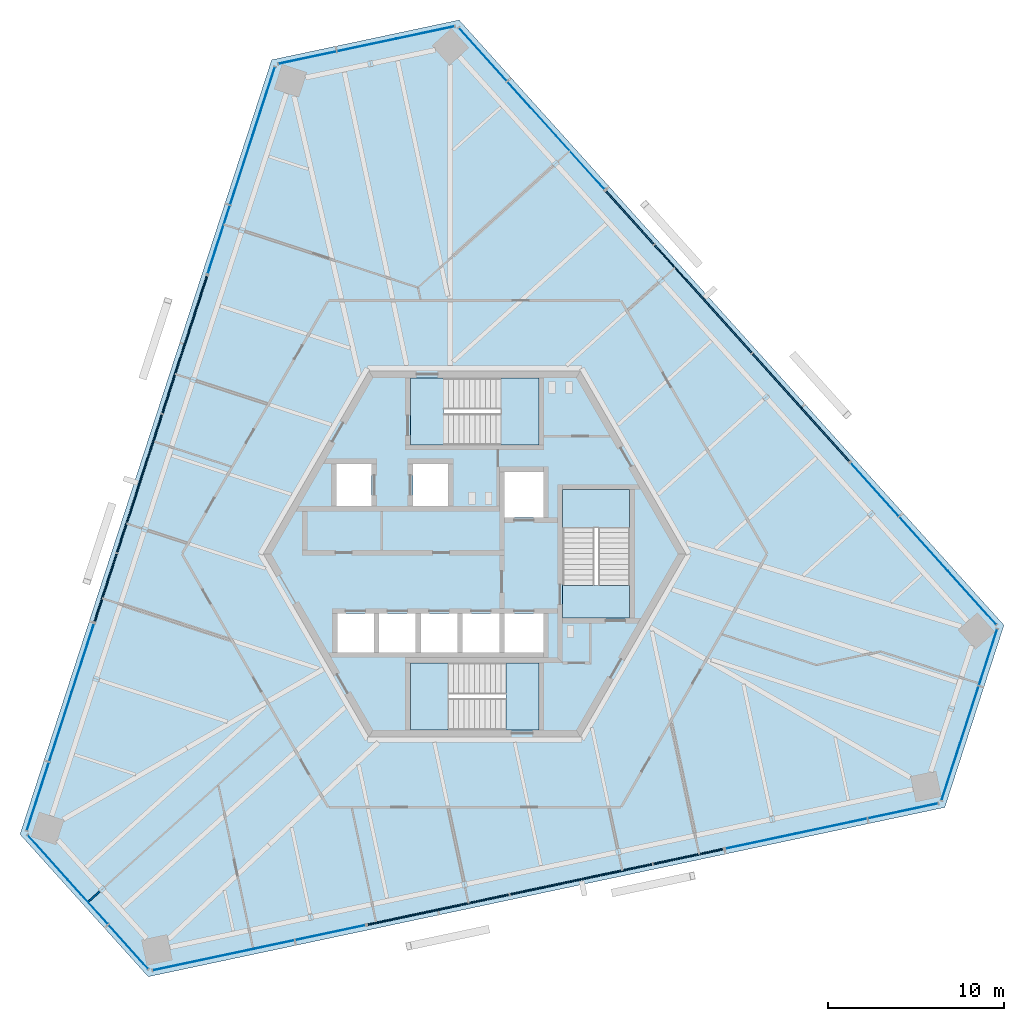
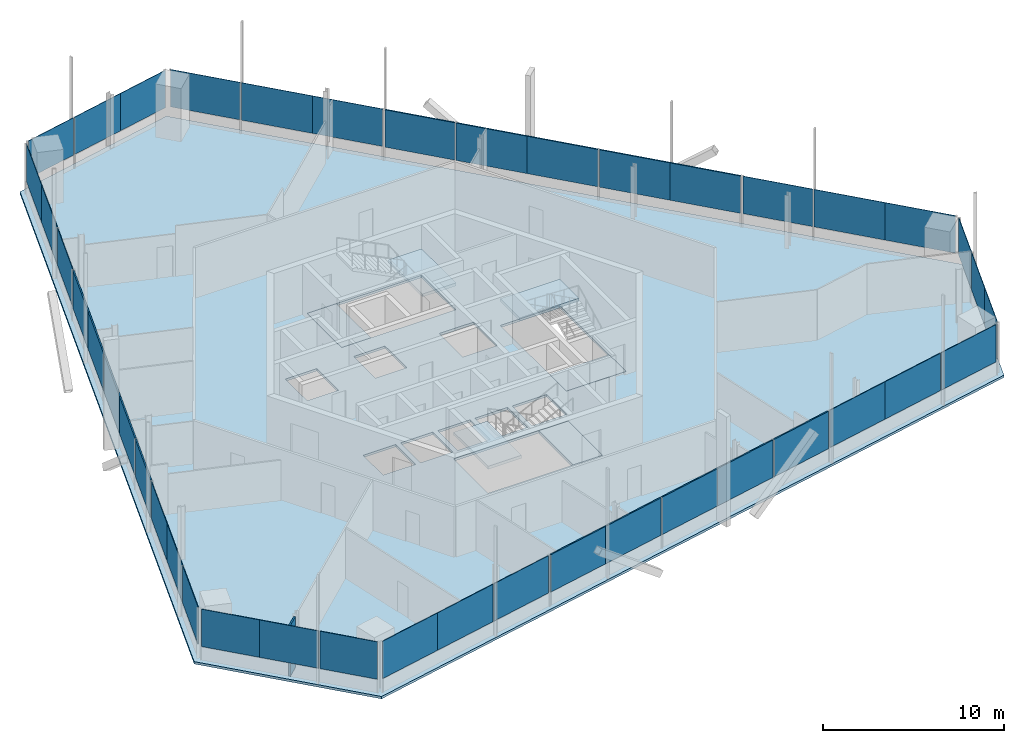
# One storey, part 9 of 17: 42 plates, 7 slabs, 1 wall, 15 elements without a shape of their own.
"""IFC4 building model written with IfcOpenShell, lengths in metres."""

from ifc_helpers import new_model, si_unit, direction, frame, frame_2d, origin, origin_2d, place, context, subcontext, project, spatial, polyline, rectangle, outline, extrude, source, transform, mapped, material, layer, layer_set, type_object, element, aggregate, save


model = new_model("IFC4")

# Units and contexts
model_context = context("Model", 3, precision=1e-05, world=origin(), true_north=direction((0.0, 1.0)))
body_context = subcontext(model_context, "Body", "Model", "MODEL_VIEW")
ifc_project = project(units=[si_unit("LENGTHUNIT", "METRE"), si_unit("AREAUNIT", "SQUARE_METRE"), si_unit("VOLUMEUNIT", "CUBIC_METRE"), si_unit("PLANEANGLEUNIT", "RADIAN"), si_unit("MASSUNIT", "GRAM", prefix="KILO")], contexts=[model_context])

# Site, building, storey
site_placement = place(None, origin())
site = spatial("IfcSite", under=ifc_project, at=site_placement, CompositionType="ELEMENT")
building_placement = place(site_placement, origin())
building = spatial("IfcBuilding", under=site, at=building_placement, Name="Triune Harvest Tower", CompositionType="ELEMENT")
storey_placement = place(building_placement, frame((0.0, 0.0, 281.10009765625)))
storey = spatial("IfcBuildingStorey", under=building, at=storey_placement, Name="L74", CompositionType="ELEMENT", Elevation=281.10009765625)

# Curtain wall, plate
ifc_material_1 = material(Name="Aluminium bronze anodised", Category="aluminium")
curtain_wall_type_1 = type_object("IfcCurtainWallType", Name="CW-1 Tower stick curtain wall", PredefinedType="NOTDEFINED", material=ifc_material_1)
curtain_wall_1_placement = place(storey_placement, origin())
curtain_wall_1 = element("IfcCurtainWall", 1, at=curtain_wall_1_placement, inside=storey, type_object=curtain_wall_type_1, Name="CW-1 B7-F4 L74 run 1")
ifc_material_2 = material(Name="Glass", Category="glass")
ifc_layer_1 = layer(ifc_material_2, 0.031982421875)
ifc_layer_set_1 = layer_set([ifc_layer_1], Name="Glass")
plate_type_1 = type_object("IfcPlateType", Name="GL-1 panel 32", PredefinedType="CURTAIN_PANEL", material=ifc_layer_set_1)
plate_1_placement = place(storey_placement, frame((-21.963134765625, -19.75048828125, 0.89990234375), z_axis=(0.0, 0.0, 1.0), x_axis=(0.669132031472, -0.743143542297, 0.0)))
plate_1 = element("IfcPlate", 2, at=plate_1_placement, type_object=plate_type_1, Name="CW-1 panel B7-F4 1.2", PredefinedType="CURTAIN_PANEL", context=body_context, shape_type="SweptSolid", body=[
    extrude(rectangle(XDim=3.41357421875, YDim=0.031982421875, at=origin_2d()), origin(), (0.0, 0.0, 1.0), 2.52001953125),
])

# Slab
ifc_material_3 = material(Name="Concrete 40 MPa", Category="concrete")
ifc_layer_2 = layer(ifc_material_3, 0.159912109375)
ifc_layer_set_2 = layer_set([ifc_layer_2], Name="Concrete 40 MPa")
slab_type_1 = type_object("IfcSlabType", Name="SL-1 Composite floor slab 160", PredefinedType="FLOOR", material=ifc_layer_set_2)
shared_shape_1 = source(origin(), body_context, "Body", "SweptSolid", [
    extrude(outline(polyline([(30.05810546875, -4.04638671875), (-0.88232421875, 30.31640625), (-11.524658203125, 28.054443359375), (-25.813720703125, -15.922607421875), (-18.533447265625, -24.0078125), (26.696044921875, -14.39404296875), (30.05810546875, -4.04638671875)]), holes=[polyline([(-5.72509765625, -5.590087890625), (-5.72509765625, -3.389892578125), (-7.800048828125, -3.389892578125), (-7.800048828125, -5.590087890625), (-5.72509765625, -5.590087890625)]), polyline([(-3.35009765625, -5.590087890625), (-3.35009765625, -3.389892578125), (-5.425048828125, -3.389892578125), (-5.425048828125, -5.590087890625), (-3.35009765625, -5.590087890625)]), polyline([(-0.97509765625, -5.590087890625), (-0.97509765625, -3.389892578125), (-3.050048828125, -3.389892578125), (-3.050048828125, -5.590087890625), (-0.97509765625, -5.590087890625)]), polyline([(1.39990234375, -5.590087890625), (1.39990234375, -3.389892578125), (-0.675048828125, -3.389892578125), (-0.675048828125, -5.590087890625), (1.39990234375, -5.590087890625)]), polyline([(3.89990234375, 2.06005859375), (3.89990234375, 4.659912109375), (1.699951171875, 4.659912109375), (1.699951171875, 2.06005859375), (3.89990234375, 2.06005859375)]), polyline([(3.89990234375, -5.590087890625), (3.89990234375, -3.389892578125), (1.699951171875, -3.389892578125), (1.699951171875, -5.590087890625), (3.89990234375, -5.590087890625)]), polyline([(-5.85009765625, 2.7099609375), (-5.85009765625, 5.110107421875), (-7.85009765625, 5.110107421875), (-7.85009765625, 2.7099609375), (-5.85009765625, 2.7099609375)]), polyline([(-1.5, 2.7099609375), (-1.5, 5.110107421875), (-3.5, 5.110107421875), (-3.5, 2.7099609375), (-1.5, 2.7099609375)]), polyline([(3.64990234375, 6.18994140625), (3.64990234375, 9.989990234375), (-3.64990234375, 9.989990234375), (-3.64990234375, 6.18994140625), (3.64990234375, 6.18994140625)]), polyline([(3.64990234375, -9.989990234375), (3.64990234375, -6.18994140625), (-3.64990234375, -6.18994140625), (-3.64990234375, -9.989990234375), (3.64990234375, -9.989990234375)]), polyline([(8.800048828125, -3.64990234375), (8.800048828125, 3.64990234375), (5.0, 3.64990234375), (5.0, -3.64990234375), (8.800048828125, -3.64990234375)])]), origin(), (0.0, 0.0, 1.0), 0.16015625),
])
slab_1_placement = place(storey_placement, frame((0.0, 0.0, -0.16015625)))
element("IfcSlab", 3, at=slab_1_placement, inside=storey, type_object=slab_type_1, Name="slab/L74/1", PredefinedType="FLOOR", context=body_context, shape_type="MappedRepresentation", body=[
    mapped(shared_shape_1, transform((0.0, 0.0, 0.0), scale=1.0)),
])

# Stair, slabs
ifc_material_4 = material(Name="Concrete 40 MPa", Category="concrete")
stair_type = type_object("IfcStairType", Name="Exit stair 1800 half turn", PredefinedType="HALF_TURN_STAIR", material=ifc_material_4)
stair_1_placement = place(storey_placement, origin())
stair_1 = element("IfcStair", 4, at=stair_1_placement, inside=storey, type_object=stair_type, Name="Exit stair north", PredefinedType="HALF_TURN_STAIR")
ifc_material_5 = material(Name="Concrete 40 MPa", Category="concrete")
ifc_layer_3 = layer(ifc_material_5, 0.199951171875)
ifc_layer_set_3 = layer_set([ifc_layer_3], Name="Concrete 40 MPa")
slab_type_2 = type_object("IfcSlabType", Name="Stair landing 200", PredefinedType="LANDING", material=ifc_layer_set_3)
shared_shape_2 = source(origin(), body_context, "Body", "SweptSolid", [
    extrude(outline(polyline([(1.510009765625, 6.18994140625), (3.64990234375, 6.18994140625), (3.64990234375, 9.989990234375), (1.510009765625, 9.989990234375), (1.510009765625, 6.18994140625)])), origin(), (0.0, 0.0, 1.0), 0.199951171875),
])
slab_2_placement = place(storey_placement, frame((0.0, 0.0, 1.599853515625)))
slab_2 = element("IfcSlab", 5, at=slab_2_placement, type_object=slab_type_2, Name="ST-1 landing 2", PredefinedType="LANDING", context=body_context, shape_type="MappedRepresentation", body=[
    mapped(shared_shape_2, transform((0.0, 0.0, 0.0), scale=1.0)),
])
shared_shape_3 = source(origin(), body_context, "Body", "SweptSolid", [
    extrude(outline(polyline([(-3.64990234375, 6.18994140625), (-1.780029296875, 6.18994140625), (-1.780029296875, 9.989990234375), (-3.64990234375, 9.989990234375), (-3.64990234375, 6.18994140625)])), origin(), (0.0, 0.0, 1.0), 0.2001953125),
])
slab_3_placement = place(storey_placement, frame((0.0, 0.0, -0.2001953125)))
slab_3 = element("IfcSlab", 6, at=slab_3_placement, type_object=slab_type_2, Name="ST-1 landing 1", PredefinedType="LANDING", context=body_context, shape_type="MappedRepresentation", body=[
    mapped(shared_shape_3, transform((0.0, 0.0, 0.0), scale=1.0)),
])
aggregate(stair_1, [slab_3, slab_2])

stair_2_placement = place(storey_placement, origin())
stair_2 = element("IfcStair", 7, at=stair_2_placement, inside=storey, type_object=stair_type, Name="Exit stair south", PredefinedType="HALF_TURN_STAIR")
shared_shape_4 = source(origin(), body_context, "Body", "SweptSolid", [
    extrude(outline(polyline([(-1.510009765625, -6.18994140625), (-3.64990234375, -6.18994140625), (-3.64990234375, -9.989990234375), (-1.510009765625, -9.989990234375), (-1.510009765625, -6.18994140625)])), origin(), (0.0, 0.0, 1.0), 0.199951171875),
])
slab_4_placement = place(storey_placement, frame((0.0, 0.0, 1.599853515625)))
slab_4 = element("IfcSlab", 8, at=slab_4_placement, type_object=slab_type_2, Name="ST-2 landing 2", PredefinedType="LANDING", context=body_context, shape_type="MappedRepresentation", body=[
    mapped(shared_shape_4, transform((0.0, 0.0, 0.0), scale=1.0)),
])
shared_shape_5 = source(origin(), body_context, "Body", "SweptSolid", [
    extrude(outline(polyline([(3.64990234375, -6.18994140625), (1.780029296875, -6.18994140625), (1.780029296875, -9.989990234375), (3.64990234375, -9.989990234375), (3.64990234375, -6.18994140625)])), origin(), (0.0, 0.0, 1.0), 0.2001953125),
])
slab_5_placement = place(storey_placement, frame((0.0, 0.0, -0.2001953125)))
slab_5 = element("IfcSlab", 9, at=slab_5_placement, type_object=slab_type_2, Name="ST-2 landing 1", PredefinedType="LANDING", context=body_context, shape_type="MappedRepresentation", body=[
    mapped(shared_shape_5, transform((0.0, 0.0, 0.0), scale=1.0)),
])
aggregate(stair_2, [slab_5, slab_4])

stair_3_placement = place(storey_placement, origin())
stair_3 = element("IfcStair", 10, at=stair_3_placement, inside=storey, type_object=stair_type, Name="Exit stair east", PredefinedType="HALF_TURN_STAIR")
shared_shape_6 = source(origin(), body_context, "Body", "SweptSolid", [
    extrude(outline(polyline([(8.800048828125, 1.510009765625), (8.800048828125, 3.64990234375), (5.0, 3.64990234375), (5.0, 1.510009765625), (8.800048828125, 1.510009765625)])), origin(), (0.0, 0.0, 1.0), 0.199951171875),
])
slab_6_placement = place(storey_placement, frame((0.0, 0.0, 1.599853515625)))
slab_6 = element("IfcSlab", 11, at=slab_6_placement, type_object=slab_type_2, Name="ST-3 landing 2", PredefinedType="LANDING", context=body_context, shape_type="MappedRepresentation", body=[
    mapped(shared_shape_6, transform((0.0, 0.0, 0.0), scale=1.0)),
])
shared_shape_7 = source(origin(), body_context, "Body", "SweptSolid", [
    extrude(outline(polyline([(8.800048828125, -3.64990234375), (8.800048828125, -1.780029296875), (5.0, -1.780029296875), (5.0, -3.64990234375), (8.800048828125, -3.64990234375)])), origin(), (0.0, 0.0, 1.0), 0.2001953125),
])
slab_7_placement = place(storey_placement, frame((0.0, 0.0, -0.2001953125)))
slab_7 = element("IfcSlab", 12, at=slab_7_placement, type_object=slab_type_2, Name="ST-3 landing 1", PredefinedType="LANDING", context=body_context, shape_type="MappedRepresentation", body=[
    mapped(shared_shape_7, transform((0.0, 0.0, 0.0), scale=1.0)),
])
aggregate(stair_3, [slab_7, slab_6])

# Curtain wall, plate
curtain_wall_2_placement = place(storey_placement, origin())
curtain_wall_2 = element("IfcCurtainWall", 13, at=curtain_wall_2_placement, inside=storey, type_object=curtain_wall_type_1, Name="CW-1 B7-F1 L74 run 1")
shared_shape_8 = source(origin(), body_context, "Body", "SweptSolid", [
    extrude(rectangle(XDim=4.080810546875, YDim=0.031982421875, at=origin_2d()), origin(), (0.0, 0.0, 1.0), 2.52001953125),
])
plate_2_placement = place(storey_placement, frame((28.24365234375, -2.4794921875, 0.89990234375), z_axis=(0.0, 0.0, 1.0), x_axis=(-0.669131464034, 0.743144053222, 0.0)))
plate_2 = element("IfcPlate", 14, at=plate_2_placement, type_object=plate_type_1, Name="CW-1 panel B7-F1 1.1", PredefinedType="CURTAIN_PANEL", context=body_context, shape_type="MappedRepresentation", body=[
    mapped(shared_shape_8, transform((0.0, 0.0, 0.0), scale=1.0)),
])

curtain_wall_3_placement = place(storey_placement, origin())
curtain_wall_3 = element("IfcCurtainWall", 15, at=curtain_wall_3_placement, inside=storey, type_object=curtain_wall_type_1, Name="CW-1 B7-F1 L74 run 2001")
plate_3_placement = place(storey_placement, frame((5.99755859375, 22.22705078125, 0.89990234375), z_axis=(0.0, 0.0, 1.0), x_axis=(-0.669131464034, 0.743144053222, 0.0)))
plate_3 = element("IfcPlate", 16, at=plate_3_placement, type_object=plate_type_1, Name="CW-1 panel B7-F1 2001.1", PredefinedType="CURTAIN_PANEL", context=body_context, shape_type="MappedRepresentation", body=[
    mapped(shared_shape_8, transform((0.0, 0.0, 0.0), scale=1.0)),
])

curtain_wall_4_placement = place(storey_placement, origin())
curtain_wall_4 = element("IfcCurtainWall", 17, at=curtain_wall_4_placement, inside=storey, type_object=curtain_wall_type_1, Name="CW-1 B7-F3 L74 run 1")
plate_4_placement = place(storey_placement, frame((-11.974365234375, 25.699462890625, 0.89990234375), z_axis=(0.0, 0.0, 1.0), x_axis=(-0.309013302707, -0.951057715783, 0.0)))
plate_4 = element("IfcPlate", 18, at=plate_4_placement, type_object=plate_type_1, Name="CW-1 panel B7-F3 1.1", PredefinedType="CURTAIN_PANEL", context=body_context, shape_type="MappedRepresentation", body=[
    mapped(shared_shape_8, transform((0.0, 0.0, 0.0), scale=1.0)),
])

curtain_wall_5_placement = place(storey_placement, origin())
curtain_wall_5 = element("IfcCurtainWall", 19, at=curtain_wall_5_placement, inside=storey, type_object=curtain_wall_type_1, Name="CW-1 B7-F3 L74 run 2001")
plate_5_placement = place(storey_placement, frame((-22.248046875, -5.919677734375, 0.89990234375), z_axis=(0.0, 0.0, 1.0), x_axis=(-0.309013302707, -0.951057715783, 0.0)))
plate_5 = element("IfcPlate", 20, at=plate_5_placement, type_object=plate_type_1, Name="CW-1 panel B7-F3 2001.1", PredefinedType="CURTAIN_PANEL", context=body_context, shape_type="MappedRepresentation", body=[
    mapped(shared_shape_8, transform((0.0, 0.0, 0.0), scale=1.0)),
])

curtain_wall_6_placement = place(storey_placement, origin())
curtain_wall_6 = element("IfcCurtainWall", 21, at=curtain_wall_6_placement, inside=storey, type_object=curtain_wall_type_1, Name="CW-1 B7-F5 L74 run 1")
plate_6_placement = place(storey_placement, frame((-16.269287109375, -23.219970703125, 0.89990234375), z_axis=(0.0, 0.0, 1.0), x_axis=(0.978148125654, 0.207909221248, 0.0)))
plate_6 = element("IfcPlate", 22, at=plate_6_placement, type_object=plate_type_1, Name="CW-1 panel B7-F5 1.1", PredefinedType="CURTAIN_PANEL", context=body_context, shape_type="MappedRepresentation", body=[
    mapped(shared_shape_8, transform((0.0, 0.0, 0.0), scale=1.0)),
])

curtain_wall_7_placement = place(storey_placement, origin())
curtain_wall_7 = element("IfcCurtainWall", 23, at=curtain_wall_7_placement, inside=storey, type_object=curtain_wall_type_1, Name="CW-1 B7-F5 L74 run 2001")
plate_7_placement = place(storey_placement, frame((16.25048828125, -16.3076171875, 0.89990234375), z_axis=(0.0, 0.0, 1.0), x_axis=(0.978148125654, 0.207909221248, 0.0)))
plate_7 = element("IfcPlate", 24, at=plate_7_placement, type_object=plate_type_1, Name="CW-1 panel B7-F5 2001.1", PredefinedType="CURTAIN_PANEL", context=body_context, shape_type="MappedRepresentation", body=[
    mapped(shared_shape_8, transform((0.0, 0.0, 0.0), scale=1.0)),
])

# Plate
shared_shape_9 = source(origin(), body_context, "Body", "SweptSolid", [
    extrude(rectangle(XDim=4.1181640625, YDim=0.031982421875, at=origin_2d()), origin(), (0.0, 0.0, 1.0), 2.52001953125),
])
plate_8_placement = place(storey_placement, frame((25.50048828125, 0.56689453125, 0.89990234375), z_axis=(0.0, 0.0, 1.0), x_axis=(-0.669131464034, 0.743144053222, 0.0)))
plate_8 = element("IfcPlate", 25, at=plate_8_placement, type_object=plate_type_1, Name="CW-1 panel B7-F1 1.2", PredefinedType="CURTAIN_PANEL", context=body_context, shape_type="MappedRepresentation", body=[
    mapped(shared_shape_9, transform((0.0, 0.0, 0.0), scale=1.0)),
])

plate_9_placement = place(storey_placement, frame((3.25439453125, 25.273681640625, 0.89990234375), z_axis=(0.0, 0.0, 1.0), x_axis=(-0.669131464034, 0.743144053222, 0.0)))
plate_9 = element("IfcPlate", 26, at=plate_9_placement, type_object=plate_type_1, Name="CW-1 panel B7-F1 2001.2", PredefinedType="CURTAIN_PANEL", context=body_context, shape_type="MappedRepresentation", body=[
    mapped(shared_shape_9, transform((0.0, 0.0, 0.0), scale=1.0)),
])

shared_shape_10 = source(origin(), body_context, "Body", "SweptSolid", [
    extrude(rectangle(XDim=4.043212890625, YDim=0.031982421875, at=origin_2d()), origin(), (0.0, 0.0, 1.0), 2.52001953125),
])
plate_10_placement = place(storey_placement, frame((22.7197265625, 3.6552734375, 0.89990234375), z_axis=(0.0, 0.0, 1.0), x_axis=(-0.669131464034, 0.743144053222, 0.0)))
plate_10 = element("IfcPlate", 27, at=plate_10_placement, type_object=plate_type_1, Name="CW-1 panel B7-F1 1.3", PredefinedType="CURTAIN_PANEL", context=body_context, shape_type="MappedRepresentation", body=[
    mapped(shared_shape_10, transform((0.0, 0.0, 0.0), scale=1.0)),
])

aggregate(curtain_wall_2, [plate_2, plate_8, plate_10])

plate_11_placement = place(storey_placement, frame((0.4736328125, 28.362060546875, 0.89990234375), z_axis=(0.0, 0.0, 1.0), x_axis=(-0.669131464034, 0.743144053222, 0.0)))
plate_11 = element("IfcPlate", 28, at=plate_11_placement, type_object=plate_type_1, Name="CW-1 panel B7-F1 2001.3", PredefinedType="CURTAIN_PANEL", context=body_context, shape_type="MappedRepresentation", body=[
    mapped(shared_shape_10, transform((0.0, 0.0, 0.0), scale=1.0)),
])

aggregate(curtain_wall_3, [plate_3, plate_9, plate_11])

plate_12_placement = place(storey_placement, frame((-14.525390625, 17.84814453125, 0.89990234375), z_axis=(0.0, 0.0, 1.0), x_axis=(-0.309013302707, -0.951057715783, 0.0)))
plate_12 = element("IfcPlate", 29, at=plate_12_placement, type_object=plate_type_1, Name="CW-1 panel B7-F3 1.3", PredefinedType="CURTAIN_PANEL", context=body_context, shape_type="MappedRepresentation", body=[
    mapped(shared_shape_10, transform((0.0, 0.0, 0.0), scale=1.0)),
])

plate_13_placement = place(storey_placement, frame((-24.799072265625, -13.770751953125, 0.89990234375), z_axis=(0.0, 0.0, 1.0), x_axis=(-0.309013302707, -0.951057715783, 0.0)))
plate_13 = element("IfcPlate", 30, at=plate_13_placement, type_object=plate_type_1, Name="CW-1 panel B7-F3 2001.3", PredefinedType="CURTAIN_PANEL", context=body_context, shape_type="MappedRepresentation", body=[
    mapped(shared_shape_10, transform((0.0, 0.0, 0.0), scale=1.0)),
])

plate_14_placement = place(storey_placement, frame((-8.1943359375, -21.50341796875, 0.89990234375), z_axis=(0.0, 0.0, 1.0), x_axis=(0.978148125654, 0.207909221248, 0.0)))
plate_14 = element("IfcPlate", 31, at=plate_14_placement, type_object=plate_type_1, Name="CW-1 panel B7-F5 1.3", PredefinedType="CURTAIN_PANEL", context=body_context, shape_type="MappedRepresentation", body=[
    mapped(shared_shape_10, transform((0.0, 0.0, 0.0), scale=1.0)),
])

plate_15_placement = place(storey_placement, frame((24.325439453125, -14.59130859375, 0.89990234375), z_axis=(0.0, 0.0, 1.0), x_axis=(0.978148125654, 0.207909221248, 0.0)))
plate_15 = element("IfcPlate", 32, at=plate_15_placement, type_object=plate_type_1, Name="CW-1 panel B7-F5 2001.3", PredefinedType="CURTAIN_PANEL", context=body_context, shape_type="MappedRepresentation", body=[
    mapped(shared_shape_10, transform((0.0, 0.0, 0.0), scale=1.0)),
])

# Curtain wall, plate
ifc_material_6 = material(Name="Aluminium bronze anodised", Category="aluminium")
curtain_wall_type_2 = type_object("IfcCurtainWallType", Name="CW-7 Tower stick curtain wall with insulated spandrel infill", PredefinedType="NOTDEFINED", material=ifc_material_6)
curtain_wall_8_placement = place(storey_placement, origin())
curtain_wall_8 = element("IfcCurtainWall", 33, at=curtain_wall_8_placement, inside=storey, type_object=curtain_wall_type_2, Name="CW-7 B7-F1 L74 run 1001")
ifc_material_7 = material(Name="Insulated spandrel panel, bronze aluminium pan", Category="aluminium")
ifc_layer_4 = layer(ifc_material_7, 0.080078125)
ifc_layer_set_4 = layer_set([ifc_layer_4], Name="Insulated spandrel panel, bronze aluminium pan")
plate_type_2 = type_object("IfcPlateType", Name="SP-1 insulated spandrel panel 80", PredefinedType="CURTAIN_PANEL", material=ifc_layer_set_4)
shared_shape_11 = source(origin(), body_context, "Body", "SweptSolid", [
    extrude(rectangle(XDim=4.080810546875, YDim=0.080078125, at=origin_2d()), origin(), (0.0, 0.0, 1.0), 2.52001953125),
])
plate_16_placement = place(storey_placement, frame((19.9013671875, 6.785400390625, 0.89990234375), z_axis=(0.0, 0.0, 1.0), x_axis=(-0.669131426809, 0.74314408674, 0.0)))
plate_16 = element("IfcPlate", 34, at=plate_16_placement, type_object=plate_type_2, Name="CW-7 panel B7-F1 1001.1", PredefinedType="CURTAIN_PANEL", context=body_context, shape_type="MappedRepresentation", body=[
    mapped(shared_shape_11, transform((0.0, 0.0, 0.0), scale=1.0)),
])

curtain_wall_9_placement = place(storey_placement, origin())
curtain_wall_9 = element("IfcCurtainWall", 35, at=curtain_wall_9_placement, inside=storey, type_object=curtain_wall_type_2, Name="CW-7 B7-F3 L74 run 1001")
plate_17_placement = place(storey_placement, frame((-15.826904296875, 13.84228515625, 0.89990234375), z_axis=(0.0, 0.0, 1.0), x_axis=(-0.309020017761, -0.951055533932, 0.0)))
plate_17 = element("IfcPlate", 36, at=plate_17_placement, type_object=plate_type_2, Name="CW-7 panel B7-F3 1001.1", PredefinedType="CURTAIN_PANEL", context=body_context, shape_type="MappedRepresentation", body=[
    mapped(shared_shape_11, transform((0.0, 0.0, 0.0), scale=1.0)),
])

curtain_wall_10_placement = place(storey_placement, origin())
curtain_wall_10 = element("IfcCurtainWall", 37, at=curtain_wall_10_placement, inside=storey, type_object=curtain_wall_type_2, Name="CW-7 B7-F5 L74 run 1001")
plate_18_placement = place(storey_placement, frame((-4.07421875, -20.627685546875, 0.89990234375), z_axis=(0.0, 0.0, 1.0), x_axis=(0.978147303245, 0.207913090389, 0.0)))
plate_18 = element("IfcPlate", 38, at=plate_18_placement, type_object=plate_type_2, Name="CW-7 panel B7-F5 1001.1", PredefinedType="CURTAIN_PANEL", context=body_context, shape_type="MappedRepresentation", body=[
    mapped(shared_shape_11, transform((0.0, 0.0, 0.0), scale=1.0)),
])

# Plate
shared_shape_12 = source(origin(), body_context, "Body", "SweptSolid", [
    extrude(rectangle(XDim=4.1181640625, YDim=0.080078125, at=origin_2d()), origin(), (0.0, 0.0, 1.0), 2.52001953125),
])
plate_19_placement = place(storey_placement, frame((17.158203125, 9.83203125, 0.89990234375), z_axis=(0.0, 0.0, 1.0), x_axis=(-0.669131426809, 0.74314408674, 0.0)))
plate_19 = element("IfcPlate", 39, at=plate_19_placement, type_object=plate_type_2, Name="CW-7 panel B7-F1 1001.2", PredefinedType="CURTAIN_PANEL", context=body_context, shape_type="MappedRepresentation", body=[
    mapped(shared_shape_12, transform((0.0, 0.0, 0.0), scale=1.0)),
])

plate_20_placement = place(storey_placement, frame((14.3525390625, 12.9482421875, 0.89990234375), z_axis=(0.0, 0.0, 1.0), x_axis=(-0.669131426809, 0.74314408674, 0.0)))
plate_20 = element("IfcPlate", 40, at=plate_20_placement, type_object=plate_type_2, Name="CW-7 panel B7-F1 1001.3", PredefinedType="CURTAIN_PANEL", context=body_context, shape_type="MappedRepresentation", body=[
    mapped(shared_shape_12, transform((0.0, 0.0, 0.0), scale=1.0)),
])

plate_21_placement = place(storey_placement, frame((11.5966796875, 16.008544921875, 0.89990234375), z_axis=(0.0, 0.0, 1.0), x_axis=(-0.669131426809, 0.74314408674, 0.0)))
plate_21 = element("IfcPlate", 41, at=plate_21_placement, type_object=plate_type_2, Name="CW-7 panel B7-F1 1001.4", PredefinedType="CURTAIN_PANEL", context=body_context, shape_type="MappedRepresentation", body=[
    mapped(shared_shape_12, transform((0.0, 0.0, 0.0), scale=1.0)),
])

plate_22_placement = place(storey_placement, frame((-17.09375, 9.943359375, 0.89990234375), z_axis=(0.0, 0.0, 1.0), x_axis=(-0.309020017761, -0.951055533932, 0.0)))
plate_22 = element("IfcPlate", 42, at=plate_22_placement, type_object=plate_type_2, Name="CW-7 panel B7-F3 1001.2", PredefinedType="CURTAIN_PANEL", context=body_context, shape_type="MappedRepresentation", body=[
    mapped(shared_shape_12, transform((0.0, 0.0, 0.0), scale=1.0)),
])

plate_23_placement = place(storey_placement, frame((-18.3896484375, 5.955322265625, 0.89990234375), z_axis=(0.0, 0.0, 1.0), x_axis=(-0.309020017761, -0.951055533932, 0.0)))
plate_23 = element("IfcPlate", 43, at=plate_23_placement, type_object=plate_type_2, Name="CW-7 panel B7-F3 1001.3", PredefinedType="CURTAIN_PANEL", context=body_context, shape_type="MappedRepresentation", body=[
    mapped(shared_shape_12, transform((0.0, 0.0, 0.0), scale=1.0)),
])

plate_24_placement = place(storey_placement, frame((-19.662353515625, 2.038818359375, 0.89990234375), z_axis=(0.0, 0.0, 1.0), x_axis=(-0.309020017761, -0.951055533932, 0.0)))
plate_24 = element("IfcPlate", 44, at=plate_24_placement, type_object=plate_type_2, Name="CW-7 panel B7-F3 1001.4", PredefinedType="CURTAIN_PANEL", context=body_context, shape_type="MappedRepresentation", body=[
    mapped(shared_shape_12, transform((0.0, 0.0, 0.0), scale=1.0)),
])

plate_25_placement = place(storey_placement, frame((-0.064453125, -19.775390625, 0.89990234375), z_axis=(0.0, 0.0, 1.0), x_axis=(0.978147303245, 0.207913090389, 0.0)))
plate_25 = element("IfcPlate", 45, at=plate_25_placement, type_object=plate_type_2, Name="CW-7 panel B7-F5 1001.2", PredefinedType="CURTAIN_PANEL", context=body_context, shape_type="MappedRepresentation", body=[
    mapped(shared_shape_12, transform((0.0, 0.0, 0.0), scale=1.0)),
])

plate_26_placement = place(storey_placement, frame((4.037353515625, -18.903564453125, 0.89990234375), z_axis=(0.0, 0.0, 1.0), x_axis=(0.978147303245, 0.207913090389, 0.0)))
plate_26 = element("IfcPlate", 46, at=plate_26_placement, type_object=plate_type_2, Name="CW-7 panel B7-F5 1001.3", PredefinedType="CURTAIN_PANEL", context=body_context, shape_type="MappedRepresentation", body=[
    mapped(shared_shape_12, transform((0.0, 0.0, 0.0), scale=1.0)),
])

plate_27_placement = place(storey_placement, frame((8.0654296875, -18.04736328125, 0.89990234375), z_axis=(0.0, 0.0, 1.0), x_axis=(0.978147303245, 0.207913090389, 0.0)))
plate_27 = element("IfcPlate", 47, at=plate_27_placement, type_object=plate_type_2, Name="CW-7 panel B7-F5 1001.4", PredefinedType="CURTAIN_PANEL", context=body_context, shape_type="MappedRepresentation", body=[
    mapped(shared_shape_12, transform((0.0, 0.0, 0.0), scale=1.0)),
])

shared_shape_13 = source(origin(), body_context, "Body", "SweptSolid", [
    extrude(rectangle(XDim=4.043212890625, YDim=0.080078125, at=origin_2d()), origin(), (0.0, 0.0, 1.0), 2.52001953125),
])
plate_28_placement = place(storey_placement, frame((8.81591796875, 19.096923828125, 0.89990234375), z_axis=(0.0, 0.0, 1.0), x_axis=(-0.669131426809, 0.74314408674, 0.0)))
plate_28 = element("IfcPlate", 48, at=plate_28_placement, type_object=plate_type_2, Name="CW-7 panel B7-F1 1001.5", PredefinedType="CURTAIN_PANEL", context=body_context, shape_type="MappedRepresentation", body=[
    mapped(shared_shape_13, transform((0.0, 0.0, 0.0), scale=1.0)),
])

aggregate(curtain_wall_8, [plate_16, plate_19, plate_20, plate_21, plate_28])

plate_29_placement = place(storey_placement, frame((-20.946533203125, -1.91357421875, 0.89990234375), z_axis=(0.0, 0.0, 1.0), x_axis=(-0.309020017761, -0.951055533932, 0.0)))
plate_29 = element("IfcPlate", 49, at=plate_29_placement, type_object=plate_type_2, Name="CW-7 panel B7-F3 1001.5", PredefinedType="CURTAIN_PANEL", context=body_context, shape_type="MappedRepresentation", body=[
    mapped(shared_shape_13, transform((0.0, 0.0, 0.0), scale=1.0)),
])

aggregate(curtain_wall_9, [plate_17, plate_22, plate_23, plate_24, plate_29])

plate_30_placement = place(storey_placement, frame((12.13037109375, -17.183349609375, 0.89990234375), z_axis=(0.0, 0.0, 1.0), x_axis=(0.978147303245, 0.207913090389, 0.0)))
plate_30 = element("IfcPlate", 50, at=plate_30_placement, type_object=plate_type_2, Name="CW-7 panel B7-F5 1001.5", PredefinedType="CURTAIN_PANEL", context=body_context, shape_type="MappedRepresentation", body=[
    mapped(shared_shape_13, transform((0.0, 0.0, 0.0), scale=1.0)),
])

aggregate(curtain_wall_10, [plate_18, plate_25, plate_26, plate_27, plate_30])

# Curtain wall, plate
curtain_wall_11_placement = place(storey_placement, origin())
curtain_wall_11 = element("IfcCurtainWall", 51, at=curtain_wall_11_placement, inside=storey, type_object=curtain_wall_type_1, Name="CW-1 B7-F2 L74 run 1")
shared_shape_14 = source(origin(), body_context, "Body", "SweptSolid", [
    extrude(rectangle(XDim=3.376220703125, YDim=0.031982421875, at=origin_2d()), origin(), (0.0, 0.0, 1.0), 2.52001953125),
])
plate_31_placement = place(storey_placement, frame((-2.802001953125, 29.601806640625, 0.89990234375), z_axis=(0.0, 0.0, 1.0), x_axis=(-0.978149078297, -0.207904739307, 0.0)))
plate_31 = element("IfcPlate", 52, at=plate_31_placement, type_object=plate_type_1, Name="CW-1 panel B7-F2 1.1", PredefinedType="CURTAIN_PANEL", context=body_context, shape_type="MappedRepresentation", body=[
    mapped(shared_shape_14, transform((0.0, 0.0, 0.0), scale=1.0)),
])

# Plate
plate_32_placement = place(storey_placement, frame((-24.23486328125, -17.2275390625, 0.89990234375), z_axis=(0.0, 0.0, 1.0), x_axis=(0.669132031472, -0.743143542297, 0.0)))
plate_32 = element("IfcPlate", 53, at=plate_32_placement, type_object=plate_type_1, Name="CW-1 panel B7-F4 1.1", PredefinedType="CURTAIN_PANEL", context=body_context, shape_type="MappedRepresentation", body=[
    mapped(shared_shape_14, transform((0.0, 0.0, 0.0), scale=1.0)),
])

# Curtain wall, plate
curtain_wall_12_placement = place(storey_placement, origin())
curtain_wall_12 = element("IfcCurtainWall", 54, at=curtain_wall_12_placement, inside=storey, type_object=curtain_wall_type_1, Name="CW-1 B7-F6 L74 run 1")
plate_33_placement = place(storey_placement, frame((27.036865234375, -12.374267578125, 0.89990234375), z_axis=(0.0, 0.0, 1.0), x_axis=(0.309018882717, 0.951055902733, 0.0)))
plate_33 = element("IfcPlate", 55, at=plate_33_placement, type_object=plate_type_1, Name="CW-1 panel B7-F6 1.1", PredefinedType="CURTAIN_PANEL", context=body_context, shape_type="MappedRepresentation", body=[
    mapped(shared_shape_14, transform((0.0, 0.0, 0.0), scale=1.0)),
])

# Plate
shared_shape_15 = source(origin(), body_context, "Body", "SweptSolid", [
    extrude(rectangle(XDim=3.413818359375, YDim=0.031982421875, at=origin_2d()), origin(), (0.0, 0.0, 1.0), 2.52001953125),
])
plate_34_placement = place(storey_placement, frame((-6.122802734375, 28.89599609375, 0.89990234375), z_axis=(0.0, 0.0, 1.0), x_axis=(-0.978149078297, -0.207904739307, 0.0)))
plate_34 = element("IfcPlate", 56, at=plate_34_placement, type_object=plate_type_1, Name="CW-1 panel B7-F2 1.2", PredefinedType="CURTAIN_PANEL", context=body_context, shape_type="MappedRepresentation", body=[
    mapped(shared_shape_15, transform((0.0, 0.0, 0.0), scale=1.0)),
])

plate_35_placement = place(storey_placement, frame((28.0859375, -9.145263671875, 0.89990234375), z_axis=(0.0, 0.0, 1.0), x_axis=(0.309018882717, 0.951055902733, 0.0)))
plate_35 = element("IfcPlate", 57, at=plate_35_placement, type_object=plate_type_1, Name="CW-1 panel B7-F6 1.2", PredefinedType="CURTAIN_PANEL", context=body_context, shape_type="MappedRepresentation", body=[
    mapped(shared_shape_15, transform((0.0, 0.0, 0.0), scale=1.0)),
])

shared_shape_16 = source(origin(), body_context, "Body", "SweptSolid", [
    extrude(rectangle(XDim=3.338623046875, YDim=0.031982421875, at=origin_2d()), origin(), (0.0, 0.0, 1.0), 2.52001953125),
])
plate_36_placement = place(storey_placement, frame((-9.49853515625, 28.178466796875, 0.89990234375), z_axis=(0.0, 0.0, 1.0), x_axis=(-0.978149078297, -0.207904739307, 0.0)))
plate_36 = element("IfcPlate", 58, at=plate_36_placement, type_object=plate_type_1, Name="CW-1 panel B7-F2 1.3", PredefinedType="CURTAIN_PANEL", context=body_context, shape_type="MappedRepresentation", body=[
    mapped(shared_shape_16, transform((0.0, 0.0, 0.0), scale=1.0)),
])

aggregate(curtain_wall_11, [plate_31, plate_34, plate_36])

plate_37_placement = place(storey_placement, frame((-19.65380859375, -22.315185546875, 0.89990234375), z_axis=(0.0, 0.0, 1.0), x_axis=(0.669132031472, -0.743143542297, 0.0)))
plate_37 = element("IfcPlate", 59, at=plate_37_placement, type_object=plate_type_1, Name="CW-1 panel B7-F4 1.3", PredefinedType="CURTAIN_PANEL", context=body_context, shape_type="MappedRepresentation", body=[
    mapped(shared_shape_16, transform((0.0, 0.0, 0.0), scale=1.0)),
])

aggregate(curtain_wall_1, [plate_32, plate_1, plate_37])

plate_38_placement = place(storey_placement, frame((29.152587890625, -5.863037109375, 0.89990234375), z_axis=(0.0, 0.0, 1.0), x_axis=(0.309018882717, 0.951055902733, 0.0)))
plate_38 = element("IfcPlate", 60, at=plate_38_placement, type_object=plate_type_1, Name="CW-1 panel B7-F6 1.3", PredefinedType="CURTAIN_PANEL", context=body_context, shape_type="MappedRepresentation", body=[
    mapped(shared_shape_16, transform((0.0, 0.0, 0.0), scale=1.0)),
])

aggregate(curtain_wall_12, [plate_33, plate_35, plate_38])

shared_shape_17 = source(origin(), body_context, "Body", "SweptSolid", [
    extrude(rectangle(XDim=4.118408203125, YDim=0.031982421875, at=origin_2d()), origin(), (0.0, 0.0, 1.0), 2.52001953125),
])
plate_39_placement = place(storey_placement, frame((-13.2412109375, 21.800537109375, 0.89990234375), z_axis=(0.0, 0.0, 1.0), x_axis=(-0.309013302707, -0.951057715783, 0.0)))
plate_39 = element("IfcPlate", 61, at=plate_39_placement, type_object=plate_type_1, Name="CW-1 panel B7-F3 1.2", PredefinedType="CURTAIN_PANEL", context=body_context, shape_type="MappedRepresentation", body=[
    mapped(shared_shape_17, transform((0.0, 0.0, 0.0), scale=1.0)),
])

aggregate(curtain_wall_4, [plate_4, plate_39, plate_12])

plate_40_placement = place(storey_placement, frame((-23.514892578125, -9.818359375, 0.89990234375), z_axis=(0.0, 0.0, 1.0), x_axis=(-0.309013302707, -0.951057715783, 0.0)))
plate_40 = element("IfcPlate", 62, at=plate_40_placement, type_object=plate_type_1, Name="CW-1 panel B7-F3 2001.2", PredefinedType="CURTAIN_PANEL", context=body_context, shape_type="MappedRepresentation", body=[
    mapped(shared_shape_17, transform((0.0, 0.0, 0.0), scale=1.0)),
])

aggregate(curtain_wall_5, [plate_5, plate_40, plate_13])

plate_41_placement = place(storey_placement, frame((-12.25927734375, -22.367431640625, 0.89990234375), z_axis=(0.0, 0.0, 1.0), x_axis=(0.978148125654, 0.207909221248, 0.0)))
plate_41 = element("IfcPlate", 63, at=plate_41_placement, type_object=plate_type_1, Name="CW-1 panel B7-F5 1.2", PredefinedType="CURTAIN_PANEL", context=body_context, shape_type="MappedRepresentation", body=[
    mapped(shared_shape_17, transform((0.0, 0.0, 0.0), scale=1.0)),
])

aggregate(curtain_wall_6, [plate_6, plate_41, plate_14])

plate_42_placement = place(storey_placement, frame((20.260498046875, -15.455322265625, 0.89990234375), z_axis=(0.0, 0.0, 1.0), x_axis=(0.978148125654, 0.207909221248, 0.0)))
plate_42 = element("IfcPlate", 64, at=plate_42_placement, type_object=plate_type_1, Name="CW-1 panel B7-F5 2001.2", PredefinedType="CURTAIN_PANEL", context=body_context, shape_type="MappedRepresentation", body=[
    mapped(shared_shape_17, transform((0.0, 0.0, 0.0), scale=1.0)),
])

aggregate(curtain_wall_7, [plate_7, plate_42, plate_15])

# Wall
ifc_material_8 = material(Name="Gypsum board on steel studs", Category="steel")
ifc_layer_5 = layer(ifc_material_8, 0.10009765625)
ifc_layer_set_5 = layer_set([ifc_layer_5], Name="Gypsum board on steel studs")
wall_type = type_object("IfcWallType", Name="Partition 100 mm", PredefinedType="PARTITIONING", material=ifc_layer_set_5)
shared_shape_18 = source(origin(), body_context, "Body", "SweptSolid", [
    extrude(rectangle(XDim=0.915283203125, YDim=0.10009765625, at=frame_2d((0.45751953125, 0.0))), origin(), (0.0, 0.0, 1.0), 3.419921875),
])
wall_placement = place(storey_placement, frame((-21.950927734375, -19.76416015625, 0.0), z_axis=(0.0, 0.0, 1.0), x_axis=(0.743214552861, 0.669053158139, 0.0)))
element("IfcWall", 65, at=wall_placement, inside=storey, type_object=wall_type, Name="Partition L74 024", PredefinedType="PARTITIONING", context=body_context, shape_type="MappedRepresentation", body=[
    mapped(shared_shape_18, transform((0.0, 0.0, 0.0), scale=1.0)),
])

save(model, "model.ifc")
